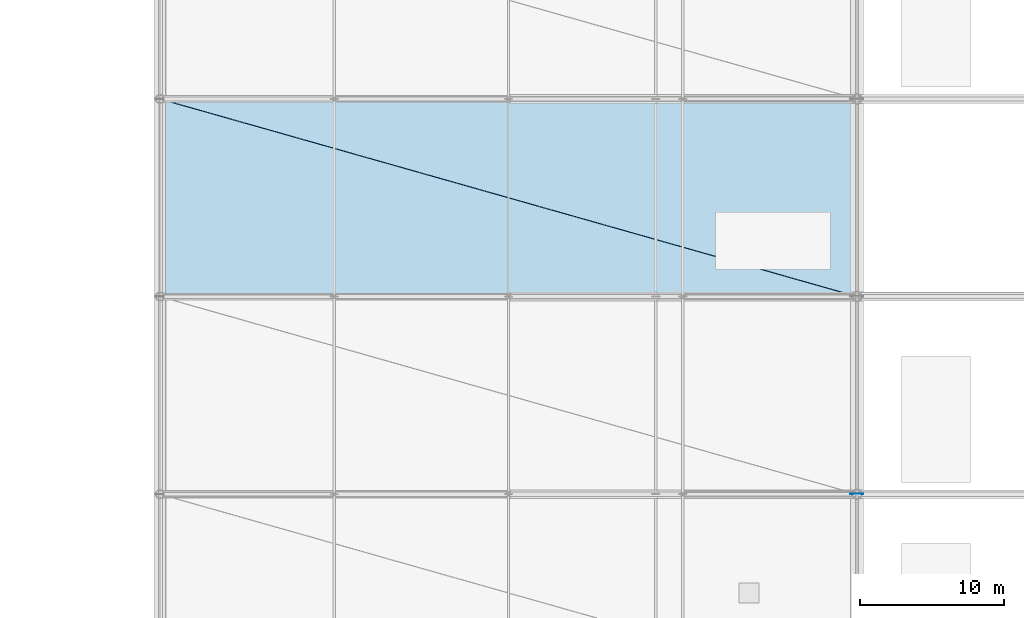
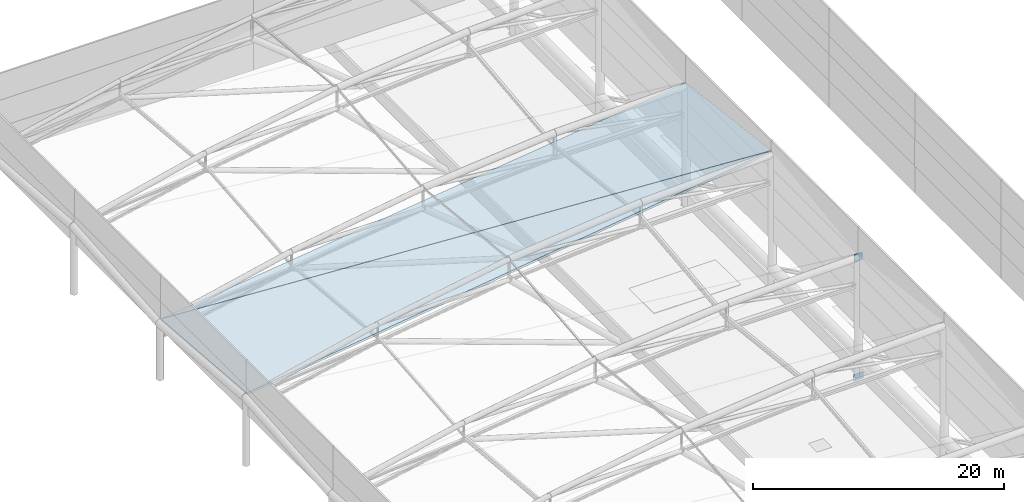
# One storey, part 70 of 113: 2 plates, 2 slabs.
"""IFC4 building model written with IfcOpenShell, lengths in metres."""

from ifc_helpers import new_model, si_unit, direction, frame, origin, origin_2d, place, context, subcontext, project, spatial, polyline, rectangle, outline, extrude, material, layer, layer_set, type_object, element, save


model = new_model("IFC4")

# Units and contexts
model_context = context("Model", 3, precision=1e-05, world=origin(), true_north=direction((0.0, 1.0)))
body_context = subcontext(model_context, "Body", "Model", "MODEL_VIEW")
ifc_project = project(units=[si_unit("LENGTHUNIT", "METRE"), si_unit("AREAUNIT", "SQUARE_METRE"), si_unit("VOLUMEUNIT", "CUBIC_METRE"), si_unit("PLANEANGLEUNIT", "RADIAN"), si_unit("MASSUNIT", "GRAM", prefix="KILO")], contexts=[model_context])

# Site, building, storey
site_placement = place(None, origin())
site = spatial("IfcSite", under=ifc_project, at=site_placement, CompositionType="ELEMENT")
building_placement = place(site_placement, origin())
building = spatial("IfcBuilding", under=site, at=building_placement, Name="Linyun Crest Stadium", CompositionType="ELEMENT")
storey_placement = place(building_placement, frame((0.0, 0.0, 26.39990234375)))
storey = spatial("IfcBuildingStorey", under=building, at=storey_placement, Name="L06", CompositionType="ELEMENT", Elevation=26.39990234375)

# Plates
ifc_material_1 = material(Name="Steel Q420C", Category="steel")
ifc_layer_1 = layer(ifc_material_1, 0.02392578125)
ifc_layer_set_1 = layer_set([ifc_layer_1], Name="Steel Q420C")
plate_type_1 = type_object("IfcPlateType", Name="EP02", PredefinedType="USERDEFINED", material=ifc_layer_set_1)
plate_1_placement = place(storey_placement, frame((84.0, -11.625, 11.169921875), z_axis=(0.0, 0.0, 1.0), x_axis=(1.0, 0.0, 0.0)))
element("IfcPlate", 1, at=plate_1_placement, inside=storey, type_object=plate_type_1, Name="Roof mast cap end plate EP02 144", ObjectType="END PLATE", PredefinedType="USERDEFINED", context=body_context, shape_type="SweptSolid", body=[
    extrude(rectangle(XDim=0.760009765625, YDim=0.02392578125, at=origin_2d()), origin(), (0.0, 0.0, 1.0), 0.760009765625),
])
ifc_material_2 = material(Name="Steel Q420C", Category="steel")
ifc_layer_2 = layer(ifc_material_2, 0.031982421875)
ifc_layer_set_2 = layer_set([ifc_layer_2], Name="Steel Q420C")
plate_type_2 = type_object("IfcPlateType", Name="NP03", PredefinedType="USERDEFINED", material=ifc_layer_set_2)
plate_2_placement = place(storey_placement, frame((84.0, -11.625, -0.389892578125), z_axis=(0.0, 0.0, 1.0), x_axis=(1.0, 0.0, 0.0)))
element("IfcPlate", 2, at=plate_2_placement, inside=storey, type_object=plate_type_2, Name="Roof mast base gusset plate NP03 145", ObjectType="GUSSET PLATE", PredefinedType="USERDEFINED", context=body_context, shape_type="SweptSolid", body=[
    extrude(rectangle(XDim=0.89990234375, YDim=0.031982421875, at=origin_2d()), origin(), (0.0, 0.0, 1.0), 0.64990234375),
])

# Slabs
ifc_material_3 = material(Name="Concrete C40", Category="concrete")
ifc_layer_3 = layer(ifc_material_3, 0.205078125)
ifc_layer_set_3 = layer_set([ifc_layer_3], Name="Concrete C40")
slab_type_1 = type_object("IfcSlabType", Name="RS01", PredefinedType="ROOF", material=ifc_layer_set_3)
slab_1_placement = place(storey_placement, frame((83.95703125, 2.14990234375, 13.6015625), z_axis=(-0.123903217788, 0.121753429256, 0.984796473941), x_axis=(-0.000371097415, 0.992438186889, -0.122744887843)))
element("IfcSlab", 3, at=slab_1_placement, inside=storey, type_object=slab_type_1, Name="Wave canopy roof deck RS01 V2 23", PredefinedType="ROOF", context=body_context, shape_type="SweptSolid", body=[
    extrude(outline(polyline([(0.0, 0.0), (13.815653026822458, 2.7755575615628914e-17), (14.587986164800817, 48.777436168552335), (0.0, 0.0)])), origin(), (0.0, 0.0, -1.0), 0.205078125),
])
ifc_material_4 = material(Name="Concrete C40", Category="concrete")
ifc_layer_4 = layer(ifc_material_4, 0.215087890625)
ifc_layer_set_4 = layer_set([ifc_layer_4], Name="Concrete C40")
slab_type_2 = type_object("IfcSlabType", Name="RS02", PredefinedType="ROOF", material=ifc_layer_set_4)
slab_2_placement = place(storey_placement, frame((83.949951171875, 2.132080078125, 13.602783203125), z_axis=(-0.136354960754, 0.079353671068, 0.98747674381), x_axis=(-0.950793500178, 0.269444639927, -0.152942165652)))
element("IfcSlab", 4, at=slab_2_placement, inside=storey, type_object=slab_type_2, Name="Wave canopy roof deck RS02 V2 24", PredefinedType="ROOF", context=body_context, shape_type="SweptSolid", body=[
    extrude(outline(polyline([(0.0, 0.0), (50.91219324997789, -2.1649348980190553e-15), (47.04428946420669, 13.200433362439872), (0.0, 0.0)])), origin(), (0.0, 0.0, -1.0), 0.215087890625),
])

save(model, "model.ifc")
